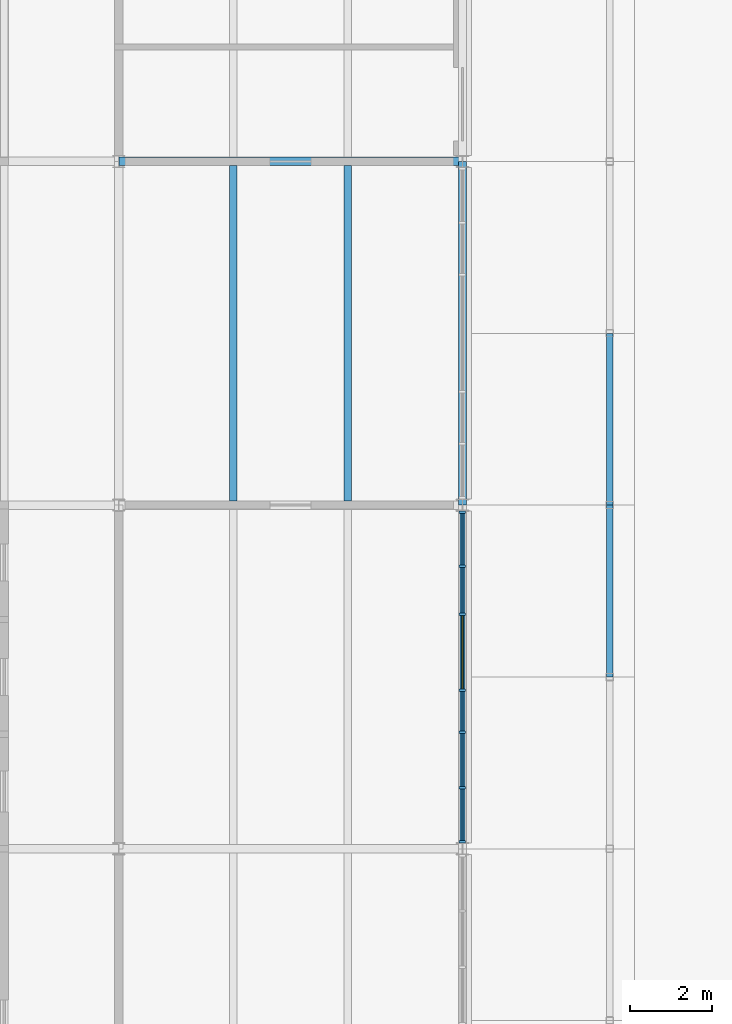
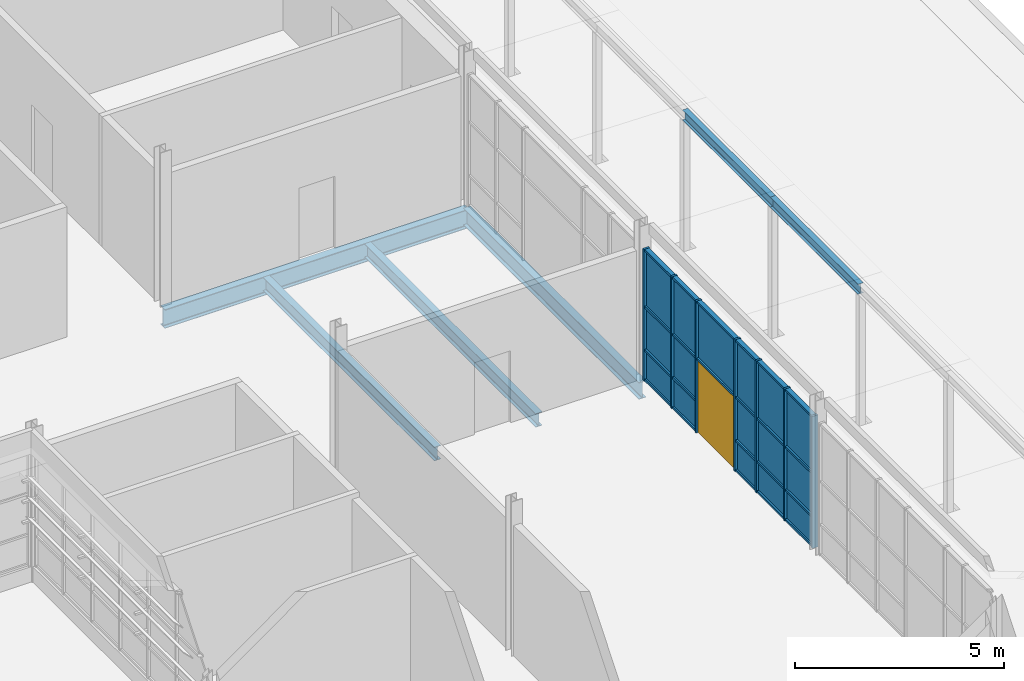
# One storey, part 64 of 116: 29 members, 16 plates, 6 beams, 1 door, 1 opening, 1 element without a shape of its own.
"""IFC4 building model written with IfcOpenShell, lengths in metres."""

from ifc_helpers import new_model, si_unit, direction, frame, frame_2d, origin, origin_2d, place, context, subcontext, project, spatial, rectangle, i_section, extrude, material, layer, layer_set, material_profile, profile_set, type_object, element, fill, aggregate, save


model = new_model("IFC4")

# Units and contexts
model_context = context("Model", 3, precision=1e-05, world=origin(), true_north=direction((0.0, 1.0)))
body_context = subcontext(model_context, "Body", "Model", "MODEL_VIEW")
ifc_project = project(units=[si_unit("LENGTHUNIT", "METRE"), si_unit("AREAUNIT", "SQUARE_METRE"), si_unit("VOLUMEUNIT", "CUBIC_METRE"), si_unit("PLANEANGLEUNIT", "RADIAN"), si_unit("MASSUNIT", "GRAM", prefix="KILO")], contexts=[model_context])

# Site, building, storey
site_placement = place(None, origin())
site = spatial("IfcSite", under=ifc_project, at=site_placement, CompositionType="ELEMENT")
building_placement = place(site_placement, origin())
building = spatial("IfcBuilding", under=site, at=building_placement, Name="Ardhachandra Cancer Care Centre", CompositionType="ELEMENT")
storey_placement = place(building_placement, origin())
storey = spatial("IfcBuildingStorey", under=building, at=storey_placement, Name="L00", CompositionType="ELEMENT", Elevation=0.0)

# Beams
ifc_material_1 = material(Name="Steel E350 (IS 2062)", Category="steel")
ifc_material_profile_1 = material_profile(ifc_material_1, i_section(OverallWidth=0.14990234375, OverallDepth=0.297119140625, WebThickness=0.006103515625, FlangeThickness=0.00927734375, FilletRadius=0.014892578125, at=origin_2d()), Name="NPB 300x150x36.52")
ifc_profile_set_1 = profile_set([ifc_material_profile_1], Name="Steel E350 (IS 2062)")
beam_type_1 = type_object("IfcBeamType", Name="Arcade beam NPB 300x150x36.52", PredefinedType="BEAM", material=ifc_profile_set_1)
beam_1_placement = place(storey_placement, frame((148.800048828125, 50.39990234375, 3.84521484375), z_axis=(0.0, 1.0, 0.0), x_axis=(-1.0, 0.0, 0.0)))
element("IfcBeam", 1, at=beam_1_placement, inside=storey, type_object=beam_type_1, Name="Arcade beam 6", PredefinedType="BEAM", context=body_context, shape_type="SweptSolid", body=[
    extrude(i_section(OverallWidth=0.14990234375, OverallDepth=0.297119140625, WebThickness=0.006103515625, FlangeThickness=0.00927734375, FilletRadius=0.014892578125, at=origin_2d()), origin(), (0.0, 0.0, 1.0), 4.2001953125),
])
beam_2_placement = place(storey_placement, frame((148.800048828125, 54.60009765625, 3.84521484375), z_axis=(0.0, 1.0, 0.0), x_axis=(-1.0, 0.0, 0.0)))
element("IfcBeam", 2, at=beam_2_placement, inside=storey, type_object=beam_type_1, Name="Arcade beam 7", PredefinedType="BEAM", context=body_context, shape_type="SweptSolid", body=[
    extrude(i_section(OverallWidth=0.14990234375, OverallDepth=0.297119140625, WebThickness=0.006103515625, FlangeThickness=0.00927734375, FilletRadius=0.014892578125, at=origin_2d()), origin(), (0.0, 0.0, 1.0), 4.199951171875),
])
ifc_material_2 = material(Name="Steel E350 (IS 2062)", Category="steel")
ifc_material_profile_2 = material_profile(ifc_material_2, i_section(OverallWidth=0.179931640625, OverallDepth=0.39990234375, WebThickness=0.008544921875, FlangeThickness=0.013427734375, FilletRadius=0.02099609375, at=origin_2d()), Name="NPB 400x180x66.30")
ifc_profile_set_2 = profile_set([ifc_material_profile_2], Name="Steel E350 (IS 2062)")
beam_type_2 = type_object("IfcBeamType", Name="Beam NPB 400x180x66.30", PredefinedType="BEAM", material=ifc_profile_set_2)
for number, where, z_axis, x_axis, name in (
    (3, (139.60009765625, 54.705078125, -0.35009765625), (0.0, 1.0, 0.0), (-1.0, 0.0, 0.0), "Secondary F16-G16@2800"),
    (4, (142.39990234375, 54.705078125, -0.35009765625), (0.0, 1.0, 0.0), (-1.0, 0.0, 0.0), "Secondary F16-G16@5600"),
):
    element("IfcBeam", number, at=place(storey_placement, frame(where, z_axis=z_axis, x_axis=x_axis)), inside=storey, type_object=beam_type_2, Name=name, PredefinedType="BEAM", context=body_context, shape_type="SweptSolid", body=[
        extrude(i_section(OverallWidth=0.179931640625, OverallDepth=0.39990234375, WebThickness=0.008544921875, FlangeThickness=0.013427734375, FilletRadius=0.02099609375, at=origin_2d()), origin(), (0.0, 0.0, 1.0), 8.18994140625),
    ])
ifc_material_3 = material(Name="Steel E350 (IS 2062)", Category="steel")
ifc_material_profile_3 = material_profile(ifc_material_3, i_section(OverallWidth=0.199951171875, OverallDepth=0.5, WebThickness=0.01025390625, FlangeThickness=0.01611328125, FilletRadius=0.02099609375, at=origin_2d()), Name="NPB 500x200x90.68")
ifc_profile_set_3 = profile_set([ifc_material_profile_3], Name="Steel E350 (IS 2062)")
beam_type_3 = type_object("IfcBeamType", Name="Beam NPB 500x200x90.68", PredefinedType="BEAM", material=ifc_profile_set_3)
beam_3_placement = place(storey_placement, frame((145.199951171875, 54.60009765625, -0.39990234375), z_axis=(0.0, 1.0, 0.0), x_axis=(-1.0, 0.0, 0.0)))
element("IfcBeam", 5, at=beam_3_placement, inside=storey, type_object=beam_type_3, Name="Edge girder F17-G17", PredefinedType="BEAM", context=body_context, shape_type="SweptSolid", body=[
    extrude(i_section(OverallWidth=0.199951171875, OverallDepth=0.5, WebThickness=0.01025390625, FlangeThickness=0.01611328125, FilletRadius=0.02099609375, at=origin_2d()), origin(), (0.0, 0.0, 1.0), 8.39990234375),
])
ifc_material_4 = material(Name="Steel E350 (IS 2062)", Category="steel")
ifc_material_profile_4 = material_profile(ifc_material_4, i_section(OverallWidth=0.2099609375, OverallDepth=0.550048828125, WebThickness=0.010986328125, FlangeThickness=0.01708984375, FilletRadius=0.02392578125, at=origin_2d()), Name="NPB 550x210x105.52")
ifc_profile_set_4 = profile_set([ifc_material_profile_4], Name="Steel E350 (IS 2062)")
beam_type_4 = type_object("IfcBeamType", Name="Beam NPB 550x210x105.52", PredefinedType="BEAM", material=ifc_profile_set_4)
beam_4_placement = place(storey_placement, frame((136.800048828125, 63.0, -0.425048828125), z_axis=(1.0, 0.0, 0.0), x_axis=(0.0, 1.0, 0.0)))
element("IfcBeam", 6, at=beam_4_placement, inside=storey, type_object=beam_type_4, Name="Girder G16-G17", PredefinedType="BEAM", context=body_context, shape_type="SweptSolid", body=[
    extrude(i_section(OverallWidth=0.2099609375, OverallDepth=0.550048828125, WebThickness=0.010986328125, FlangeThickness=0.01708984375, FilletRadius=0.02392578125, at=origin_2d()), origin(), (0.0, 0.0, 1.0), 8.39990234375),
])

# Curtain wall, opening, members, plates, door
ifc_material_5 = material(Name="Aluminium extrusion", Category="aluminium")
ifc_layer_1 = layer(ifc_material_5, 0.14990234375)
ifc_layer_set_1 = layer_set([ifc_layer_1], Name="Aluminium extrusion")
curtain_wall_type = type_object("IfcCurtainWallType", Name="Curtain wall run", PredefinedType="NOTDEFINED", material=ifc_layer_set_1)
curtain_wall_placement = place(storey_placement, frame((145.199951171875, 46.344970703125, 0.0), z_axis=(0.0, 0.0, 1.0), x_axis=(0.0, 1.0, 0.0)))
curtain_wall = element("IfcCurtainWall", 7, at=curtain_wall_placement, inside=storey, type_object=curtain_wall_type, Name="Curtain wall L00 e/0145200_0046200", PredefinedType="NOTDEFINED")
opening_placement = place(curtain_wall_placement, frame((3.7548828125, 0.0, 0.0)))
opening = element("IfcOpeningElement", 8, at=opening_placement, cuts=curtain_wall, Name="Opening L00-X02", PredefinedType="OPENING", context=body_context, shape_type="SweptSolid", body=[
    extrude(rectangle(XDim=1.800048828125, YDim=2.10009765625, at=frame_2d((0.89990234375, 1.050048828125))), frame((0.0, 0.0849609375, 0.0), z_axis=(0.0, -1.0, 0.0), x_axis=(1.0, 0.0, 0.0)), (0.0, 0.0, 1.0), 0.169921875),
])
ifc_material_6 = material(Name="Aluminium extrusion", Category="aluminium")
ifc_material_profile_5 = material_profile(ifc_material_6, rectangle(XDim=0.159912109375, YDim=0.06005859375, at=origin_2d()), Name="Curtain wall mullion 60 x 160")
ifc_profile_set_5 = profile_set([ifc_material_profile_5], Name="Aluminium extrusion")
member_type_1 = type_object("IfcMemberType", Name="Curtain wall mullion 60 x 160", PredefinedType="MULLION", material=ifc_profile_set_5)
member_1_placement = place(storey_placement, frame((145.199951171875, 46.375, 0.0), z_axis=(0.0, 0.0, 1.0), x_axis=(-1.0, 0.0, 0.0)))
member_1 = element("IfcMember", 9, at=member_1_placement, type_object=member_type_1, Name="CW mullion 1", PredefinedType="MULLION", context=body_context, shape_type="SweptSolid", body=[
    extrude(rectangle(XDim=0.159912109375, YDim=0.06005859375, at=origin_2d()), origin(), (0.0, 0.0, 1.0), 3.85009765625),
])
member_2_placement = place(storey_placement, frame((145.199951171875, 47.69677734375, 0.0), z_axis=(0.0, 0.0, 1.0), x_axis=(-1.0, 0.0, 0.0)))
member_2 = element("IfcMember", 10, at=member_2_placement, type_object=member_type_1, Name="CW mullion 2", PredefinedType="MULLION", context=body_context, shape_type="SweptSolid", body=[
    extrude(rectangle(XDim=0.159912109375, YDim=0.06005859375, at=origin_2d()), origin(), (0.0, 0.0, 1.0), 3.85009765625),
])
member_3_placement = place(storey_placement, frame((145.199951171875, 49.04833984375, 0.0), z_axis=(0.0, 0.0, 1.0), x_axis=(-1.0, 0.0, 0.0)))
member_3 = element("IfcMember", 11, at=member_3_placement, type_object=member_type_1, Name="CW mullion 3", PredefinedType="MULLION", context=body_context, shape_type="SweptSolid", body=[
    extrude(rectangle(XDim=0.159912109375, YDim=0.06005859375, at=origin_2d()), origin(), (0.0, 0.0, 1.0), 3.85009765625),
])
member_4_placement = place(storey_placement, frame((145.199951171875, 50.070068359375, 0.0), z_axis=(0.0, 0.0, 1.0), x_axis=(-1.0, 0.0, 0.0)))
member_4 = element("IfcMember", 12, at=member_4_placement, type_object=member_type_1, Name="CW mullion 4", PredefinedType="MULLION", context=body_context, shape_type="SweptSolid", body=[
    extrude(rectangle(XDim=0.159912109375, YDim=0.06005859375, at=origin_2d()), origin(), (0.0, 0.0, 1.0), 3.85009765625),
])
member_5_placement = place(storey_placement, frame((145.199951171875, 51.929931640625, 0.0), z_axis=(0.0, 0.0, 1.0), x_axis=(-1.0, 0.0, 0.0)))
member_5 = element("IfcMember", 13, at=member_5_placement, type_object=member_type_1, Name="CW mullion 5", PredefinedType="MULLION", context=body_context, shape_type="SweptSolid", body=[
    extrude(rectangle(XDim=0.159912109375, YDim=0.06005859375, at=origin_2d()), origin(), (0.0, 0.0, 1.0), 3.85009765625),
])
member_6_placement = place(storey_placement, frame((145.199951171875, 53.103271484375, 0.0), z_axis=(0.0, 0.0, 1.0), x_axis=(-1.0, 0.0, 0.0)))
member_6 = element("IfcMember", 14, at=member_6_placement, type_object=member_type_1, Name="CW mullion 6", PredefinedType="MULLION", context=body_context, shape_type="SweptSolid", body=[
    extrude(rectangle(XDim=0.159912109375, YDim=0.06005859375, at=origin_2d()), origin(), (0.0, 0.0, 1.0), 3.85009765625),
])
member_7_placement = place(storey_placement, frame((145.199951171875, 54.425048828125, 0.0), z_axis=(0.0, 0.0, 1.0), x_axis=(-1.0, 0.0, 0.0)))
member_7 = element("IfcMember", 15, at=member_7_placement, type_object=member_type_1, Name="CW mullion 7", PredefinedType="MULLION", context=body_context, shape_type="SweptSolid", body=[
    extrude(rectangle(XDim=0.159912109375, YDim=0.06005859375, at=origin_2d()), origin(), (0.0, 0.0, 1.0), 3.85009765625),
])
ifc_material_7 = material(Name="Aluminium extrusion", Category="aluminium")
ifc_material_profile_6 = material_profile(ifc_material_7, rectangle(XDim=0.1201171875, YDim=0.06005859375, at=origin_2d()), Name="Curtain wall transom 60 x 120")
ifc_profile_set_6 = profile_set([ifc_material_profile_6], Name="Aluminium extrusion")
member_type_2 = type_object("IfcMemberType", Name="Curtain wall transom 60 x 120", PredefinedType="USERDEFINED", material=ifc_profile_set_6)
member_8_placement = place(storey_placement, frame((145.199951171875, 46.405029296875, 0.030029296875), z_axis=(0.0, 1.0, 0.0), x_axis=(-1.0, 0.0, 0.0)))
member_8 = element("IfcMember", 16, at=member_8_placement, type_object=member_type_2, Name="CW transom 1.1", ObjectType="TRANSOM", PredefinedType="USERDEFINED", context=body_context, shape_type="SweptSolid", body=[
    extrude(rectangle(XDim=0.1201171875, YDim=0.06005859375, at=origin_2d()), origin(), (0.0, 0.0, 1.0), 1.26171875),
])
member_9_placement = place(storey_placement, frame((145.199951171875, 46.405029296875, 0.89990234375), z_axis=(0.0, 1.0, 0.0), x_axis=(-1.0, 0.0, 0.0)))
member_9 = element("IfcMember", 17, at=member_9_placement, type_object=member_type_2, Name="CW transom 1.2", ObjectType="TRANSOM", PredefinedType="USERDEFINED", context=body_context, shape_type="SweptSolid", body=[
    extrude(rectangle(XDim=0.1201171875, YDim=0.06005859375, at=origin_2d()), origin(), (0.0, 0.0, 1.0), 1.26171875),
])
member_10_placement = place(storey_placement, frame((145.199951171875, 46.405029296875, 2.159912109375), z_axis=(0.0, 1.0, 0.0), x_axis=(-1.0, 0.0, 0.0)))
member_10 = element("IfcMember", 18, at=member_10_placement, type_object=member_type_2, Name="CW transom 1.3", ObjectType="TRANSOM", PredefinedType="USERDEFINED", context=body_context, shape_type="SweptSolid", body=[
    extrude(rectangle(XDim=0.1201171875, YDim=0.06005859375, at=origin_2d()), origin(), (0.0, 0.0, 1.0), 1.26171875),
])
member_11_placement = place(storey_placement, frame((145.199951171875, 46.405029296875, 3.820068359375), z_axis=(0.0, 1.0, 0.0), x_axis=(-1.0, 0.0, 0.0)))
member_11 = element("IfcMember", 19, at=member_11_placement, type_object=member_type_2, Name="CW transom 1.4", ObjectType="TRANSOM", PredefinedType="USERDEFINED", context=body_context, shape_type="SweptSolid", body=[
    extrude(rectangle(XDim=0.1201171875, YDim=0.06005859375, at=origin_2d()), origin(), (0.0, 0.0, 1.0), 1.26171875),
])
member_12_placement = place(storey_placement, frame((145.199951171875, 47.726806640625, 0.030029296875), z_axis=(0.0, 1.0, 0.0), x_axis=(-1.0, 0.0, 0.0)))
member_12 = element("IfcMember", 20, at=member_12_placement, type_object=member_type_2, Name="CW transom 2.1", ObjectType="TRANSOM", PredefinedType="USERDEFINED", context=body_context, shape_type="SweptSolid", body=[
    extrude(rectangle(XDim=0.1201171875, YDim=0.06005859375, at=origin_2d()), origin(), (0.0, 0.0, 1.0), 1.29150390625),
])
member_13_placement = place(storey_placement, frame((145.199951171875, 47.726806640625, 0.89990234375), z_axis=(0.0, 1.0, 0.0), x_axis=(-1.0, 0.0, 0.0)))
member_13 = element("IfcMember", 21, at=member_13_placement, type_object=member_type_2, Name="CW transom 2.2", ObjectType="TRANSOM", PredefinedType="USERDEFINED", context=body_context, shape_type="SweptSolid", body=[
    extrude(rectangle(XDim=0.1201171875, YDim=0.06005859375, at=origin_2d()), origin(), (0.0, 0.0, 1.0), 1.29150390625),
])
member_14_placement = place(storey_placement, frame((145.199951171875, 47.726806640625, 2.159912109375), z_axis=(0.0, 1.0, 0.0), x_axis=(-1.0, 0.0, 0.0)))
member_14 = element("IfcMember", 22, at=member_14_placement, type_object=member_type_2, Name="CW transom 2.3", ObjectType="TRANSOM", PredefinedType="USERDEFINED", context=body_context, shape_type="SweptSolid", body=[
    extrude(rectangle(XDim=0.1201171875, YDim=0.06005859375, at=origin_2d()), origin(), (0.0, 0.0, 1.0), 1.29150390625),
])
member_15_placement = place(storey_placement, frame((145.199951171875, 47.726806640625, 3.820068359375), z_axis=(0.0, 1.0, 0.0), x_axis=(-1.0, 0.0, 0.0)))
member_15 = element("IfcMember", 23, at=member_15_placement, type_object=member_type_2, Name="CW transom 2.4", ObjectType="TRANSOM", PredefinedType="USERDEFINED", context=body_context, shape_type="SweptSolid", body=[
    extrude(rectangle(XDim=0.1201171875, YDim=0.06005859375, at=origin_2d()), origin(), (0.0, 0.0, 1.0), 1.29150390625),
])
member_16_placement = place(storey_placement, frame((145.199951171875, 49.078369140625, 0.030029296875), z_axis=(0.0, 1.0, 0.0), x_axis=(-1.0, 0.0, 0.0)))
member_16 = element("IfcMember", 24, at=member_16_placement, type_object=member_type_2, Name="CW transom 3.1", ObjectType="TRANSOM", PredefinedType="USERDEFINED", context=body_context, shape_type="SweptSolid", body=[
    extrude(rectangle(XDim=0.1201171875, YDim=0.06005859375, at=origin_2d()), origin(), (0.0, 0.0, 1.0), 0.961669921875),
])
member_17_placement = place(storey_placement, frame((145.199951171875, 49.078369140625, 0.89990234375), z_axis=(0.0, 1.0, 0.0), x_axis=(-1.0, 0.0, 0.0)))
member_17 = element("IfcMember", 25, at=member_17_placement, type_object=member_type_2, Name="CW transom 3.2", ObjectType="TRANSOM", PredefinedType="USERDEFINED", context=body_context, shape_type="SweptSolid", body=[
    extrude(rectangle(XDim=0.1201171875, YDim=0.06005859375, at=origin_2d()), origin(), (0.0, 0.0, 1.0), 0.961669921875),
])
member_18_placement = place(storey_placement, frame((145.199951171875, 49.078369140625, 2.159912109375), z_axis=(0.0, 1.0, 0.0), x_axis=(-1.0, 0.0, 0.0)))
member_18 = element("IfcMember", 26, at=member_18_placement, type_object=member_type_2, Name="CW transom 3.3", ObjectType="TRANSOM", PredefinedType="USERDEFINED", context=body_context, shape_type="SweptSolid", body=[
    extrude(rectangle(XDim=0.1201171875, YDim=0.06005859375, at=origin_2d()), origin(), (0.0, 0.0, 1.0), 0.961669921875),
])
member_19_placement = place(storey_placement, frame((145.199951171875, 49.078369140625, 3.820068359375), z_axis=(0.0, 1.0, 0.0), x_axis=(-1.0, 0.0, 0.0)))
member_19 = element("IfcMember", 27, at=member_19_placement, type_object=member_type_2, Name="CW transom 3.4", ObjectType="TRANSOM", PredefinedType="USERDEFINED", context=body_context, shape_type="SweptSolid", body=[
    extrude(rectangle(XDim=0.1201171875, YDim=0.06005859375, at=origin_2d()), origin(), (0.0, 0.0, 1.0), 0.961669921875),
])
member_20_placement = place(storey_placement, frame((145.199951171875, 50.10009765625, 2.159912109375), z_axis=(0.0, 1.0, 0.0), x_axis=(-1.0, 0.0, 0.0)))
member_20 = element("IfcMember", 28, at=member_20_placement, type_object=member_type_2, Name="CW transom 4.1", ObjectType="TRANSOM", PredefinedType="USERDEFINED", context=body_context, shape_type="SweptSolid", body=[
    extrude(rectangle(XDim=0.1201171875, YDim=0.06005859375, at=origin_2d()), origin(), (0.0, 0.0, 1.0), 1.7998046875),
])
member_21_placement = place(storey_placement, frame((145.199951171875, 50.10009765625, 3.820068359375), z_axis=(0.0, 1.0, 0.0), x_axis=(-1.0, 0.0, 0.0)))
member_21 = element("IfcMember", 29, at=member_21_placement, type_object=member_type_2, Name="CW transom 4.2", ObjectType="TRANSOM", PredefinedType="USERDEFINED", context=body_context, shape_type="SweptSolid", body=[
    extrude(rectangle(XDim=0.1201171875, YDim=0.06005859375, at=origin_2d()), origin(), (0.0, 0.0, 1.0), 1.7998046875),
])
member_22_placement = place(storey_placement, frame((145.199951171875, 51.9599609375, 0.030029296875), z_axis=(0.0, 1.0, 0.0), x_axis=(-1.0, 0.0, 0.0)))
member_22 = element("IfcMember", 30, at=member_22_placement, type_object=member_type_2, Name="CW transom 5.1", ObjectType="TRANSOM", PredefinedType="USERDEFINED", context=body_context, shape_type="SweptSolid", body=[
    extrude(rectangle(XDim=0.1201171875, YDim=0.06005859375, at=origin_2d()), origin(), (0.0, 0.0, 1.0), 1.11328125),
])
member_23_placement = place(storey_placement, frame((145.199951171875, 51.9599609375, 0.89990234375), z_axis=(0.0, 1.0, 0.0), x_axis=(-1.0, 0.0, 0.0)))
member_23 = element("IfcMember", 31, at=member_23_placement, type_object=member_type_2, Name="CW transom 5.2", ObjectType="TRANSOM", PredefinedType="USERDEFINED", context=body_context, shape_type="SweptSolid", body=[
    extrude(rectangle(XDim=0.1201171875, YDim=0.06005859375, at=origin_2d()), origin(), (0.0, 0.0, 1.0), 1.11328125),
])
member_24_placement = place(storey_placement, frame((145.199951171875, 51.9599609375, 2.159912109375), z_axis=(0.0, 1.0, 0.0), x_axis=(-1.0, 0.0, 0.0)))
member_24 = element("IfcMember", 32, at=member_24_placement, type_object=member_type_2, Name="CW transom 5.3", ObjectType="TRANSOM", PredefinedType="USERDEFINED", context=body_context, shape_type="SweptSolid", body=[
    extrude(rectangle(XDim=0.1201171875, YDim=0.06005859375, at=origin_2d()), origin(), (0.0, 0.0, 1.0), 1.11328125),
])
member_25_placement = place(storey_placement, frame((145.199951171875, 51.9599609375, 3.820068359375), z_axis=(0.0, 1.0, 0.0), x_axis=(-1.0, 0.0, 0.0)))
member_25 = element("IfcMember", 33, at=member_25_placement, type_object=member_type_2, Name="CW transom 5.4", ObjectType="TRANSOM", PredefinedType="USERDEFINED", context=body_context, shape_type="SweptSolid", body=[
    extrude(rectangle(XDim=0.1201171875, YDim=0.06005859375, at=origin_2d()), origin(), (0.0, 0.0, 1.0), 1.11328125),
])
member_26_placement = place(storey_placement, frame((145.199951171875, 53.13330078125, 0.030029296875), z_axis=(0.0, 1.0, 0.0), x_axis=(-1.0, 0.0, 0.0)))
member_26 = element("IfcMember", 34, at=member_26_placement, type_object=member_type_2, Name="CW transom 6.1", ObjectType="TRANSOM", PredefinedType="USERDEFINED", context=body_context, shape_type="SweptSolid", body=[
    extrude(rectangle(XDim=0.1201171875, YDim=0.06005859375, at=origin_2d()), origin(), (0.0, 0.0, 1.0), 1.26171875),
])
member_27_placement = place(storey_placement, frame((145.199951171875, 53.13330078125, 0.89990234375), z_axis=(0.0, 1.0, 0.0), x_axis=(-1.0, 0.0, 0.0)))
member_27 = element("IfcMember", 35, at=member_27_placement, type_object=member_type_2, Name="CW transom 6.2", ObjectType="TRANSOM", PredefinedType="USERDEFINED", context=body_context, shape_type="SweptSolid", body=[
    extrude(rectangle(XDim=0.1201171875, YDim=0.06005859375, at=origin_2d()), origin(), (0.0, 0.0, 1.0), 1.26171875),
])
member_28_placement = place(storey_placement, frame((145.199951171875, 53.13330078125, 2.159912109375), z_axis=(0.0, 1.0, 0.0), x_axis=(-1.0, 0.0, 0.0)))
member_28 = element("IfcMember", 36, at=member_28_placement, type_object=member_type_2, Name="CW transom 6.3", ObjectType="TRANSOM", PredefinedType="USERDEFINED", context=body_context, shape_type="SweptSolid", body=[
    extrude(rectangle(XDim=0.1201171875, YDim=0.06005859375, at=origin_2d()), origin(), (0.0, 0.0, 1.0), 1.26171875),
])
member_29_placement = place(storey_placement, frame((145.199951171875, 53.13330078125, 3.820068359375), z_axis=(0.0, 1.0, 0.0), x_axis=(-1.0, 0.0, 0.0)))
member_29 = element("IfcMember", 37, at=member_29_placement, type_object=member_type_2, Name="CW transom 6.4", ObjectType="TRANSOM", PredefinedType="USERDEFINED", context=body_context, shape_type="SweptSolid", body=[
    extrude(rectangle(XDim=0.1201171875, YDim=0.06005859375, at=origin_2d()), origin(), (0.0, 0.0, 1.0), 1.26171875),
])
ifc_material_8 = material(Name="Low-iron double-glazed unit")
ifc_layer_2 = layer(ifc_material_8, 0.028076171875)
ifc_layer_set_2 = layer_set([ifc_layer_2], Name="Low-iron double-glazed unit")
plate_type_1 = type_object("IfcPlateType", Name="Curtain wall glazing 28", PredefinedType="CURTAIN_PANEL", material=ifc_layer_set_2)
plate_1_placement = place(storey_placement, frame((145.199951171875, 47.035888671875, 0.93017578125), z_axis=(0.0, 0.0, 1.0), x_axis=(0.0, 1.0, 0.0)))
plate_1 = element("IfcPlate", 38, at=plate_1_placement, type_object=plate_type_1, Name="CW panel 1.2", PredefinedType="CURTAIN_PANEL", context=body_context, shape_type="SweptSolid", body=[
    extrude(rectangle(XDim=1.26171875, YDim=0.028076171875, at=origin_2d()), origin(), (0.0, 0.0, 1.0), 1.199951171875),
])
plate_2_placement = place(storey_placement, frame((145.199951171875, 47.035888671875, 2.18994140625), z_axis=(0.0, 0.0, 1.0), x_axis=(0.0, 1.0, 0.0)))
plate_2 = element("IfcPlate", 39, at=plate_2_placement, type_object=plate_type_1, Name="CW panel 1.3", PredefinedType="CURTAIN_PANEL", context=body_context, shape_type="SweptSolid", body=[
    extrude(rectangle(XDim=1.26171875, YDim=0.028076171875, at=origin_2d()), origin(), (0.0, 0.0, 1.0), 1.60009765625),
])
plate_3_placement = place(storey_placement, frame((145.199951171875, 48.37255859375, 0.93017578125), z_axis=(0.0, 0.0, 1.0), x_axis=(0.0, 1.0, 0.0)))
plate_3 = element("IfcPlate", 40, at=plate_3_placement, type_object=plate_type_1, Name="CW panel 2.2", PredefinedType="CURTAIN_PANEL", context=body_context, shape_type="SweptSolid", body=[
    extrude(rectangle(XDim=1.29150390625, YDim=0.028076171875, at=origin_2d()), origin(), (0.0, 0.0, 1.0), 1.199951171875),
])
plate_4_placement = place(storey_placement, frame((145.199951171875, 48.37255859375, 2.18994140625), z_axis=(0.0, 0.0, 1.0), x_axis=(0.0, 1.0, 0.0)))
plate_4 = element("IfcPlate", 41, at=plate_4_placement, type_object=plate_type_1, Name="CW panel 2.3", PredefinedType="CURTAIN_PANEL", context=body_context, shape_type="SweptSolid", body=[
    extrude(rectangle(XDim=1.29150390625, YDim=0.028076171875, at=origin_2d()), origin(), (0.0, 0.0, 1.0), 1.60009765625),
])
plate_5_placement = place(storey_placement, frame((145.199951171875, 49.55908203125, 0.93017578125), z_axis=(0.0, 0.0, 1.0), x_axis=(0.0, 1.0, 0.0)))
plate_5 = element("IfcPlate", 42, at=plate_5_placement, type_object=plate_type_1, Name="CW panel 3.2", PredefinedType="CURTAIN_PANEL", context=body_context, shape_type="SweptSolid", body=[
    extrude(rectangle(XDim=0.961669921875, YDim=0.028076171875, at=origin_2d()), origin(), (0.0, 0.0, 1.0), 1.199951171875),
])
plate_6_placement = place(storey_placement, frame((145.199951171875, 49.55908203125, 2.18994140625), z_axis=(0.0, 0.0, 1.0), x_axis=(0.0, 1.0, 0.0)))
plate_6 = element("IfcPlate", 43, at=plate_6_placement, type_object=plate_type_1, Name="CW panel 3.3", PredefinedType="CURTAIN_PANEL", context=body_context, shape_type="SweptSolid", body=[
    extrude(rectangle(XDim=0.961669921875, YDim=0.028076171875, at=origin_2d()), origin(), (0.0, 0.0, 1.0), 1.60009765625),
])
plate_7_placement = place(storey_placement, frame((145.199951171875, 51.0, 2.18994140625), z_axis=(0.0, 0.0, 1.0), x_axis=(0.0, 1.0, 0.0)))
plate_7 = element("IfcPlate", 44, at=plate_7_placement, type_object=plate_type_1, Name="CW panel 4.1", PredefinedType="CURTAIN_PANEL", context=body_context, shape_type="SweptSolid", body=[
    extrude(rectangle(XDim=1.800048828125, YDim=0.028076171875, at=origin_2d()), origin(), (0.0, 0.0, 1.0), 1.60009765625),
])
plate_8_placement = place(storey_placement, frame((145.199951171875, 52.5166015625, 0.93017578125), z_axis=(0.0, 0.0, 1.0), x_axis=(0.0, 1.0, 0.0)))
plate_8 = element("IfcPlate", 45, at=plate_8_placement, type_object=plate_type_1, Name="CW panel 5.2", PredefinedType="CURTAIN_PANEL", context=body_context, shape_type="SweptSolid", body=[
    extrude(rectangle(XDim=1.11328125, YDim=0.028076171875, at=origin_2d()), origin(), (0.0, 0.0, 1.0), 1.199951171875),
])
plate_9_placement = place(storey_placement, frame((145.199951171875, 52.5166015625, 2.18994140625), z_axis=(0.0, 0.0, 1.0), x_axis=(0.0, 1.0, 0.0)))
plate_9 = element("IfcPlate", 46, at=plate_9_placement, type_object=plate_type_1, Name="CW panel 5.3", PredefinedType="CURTAIN_PANEL", context=body_context, shape_type="SweptSolid", body=[
    extrude(rectangle(XDim=1.11328125, YDim=0.028076171875, at=origin_2d()), origin(), (0.0, 0.0, 1.0), 1.60009765625),
])
plate_10_placement = place(storey_placement, frame((145.199951171875, 53.76416015625, 0.93017578125), z_axis=(0.0, 0.0, 1.0), x_axis=(0.0, 1.0, 0.0)))
plate_10 = element("IfcPlate", 47, at=plate_10_placement, type_object=plate_type_1, Name="CW panel 6.2", PredefinedType="CURTAIN_PANEL", context=body_context, shape_type="SweptSolid", body=[
    extrude(rectangle(XDim=1.26171875, YDim=0.028076171875, at=origin_2d()), origin(), (0.0, 0.0, 1.0), 1.199951171875),
])
plate_11_placement = place(storey_placement, frame((145.199951171875, 53.76416015625, 2.18994140625), z_axis=(0.0, 0.0, 1.0), x_axis=(0.0, 1.0, 0.0)))
plate_11 = element("IfcPlate", 48, at=plate_11_placement, type_object=plate_type_1, Name="CW panel 6.3", PredefinedType="CURTAIN_PANEL", context=body_context, shape_type="SweptSolid", body=[
    extrude(rectangle(XDim=1.26171875, YDim=0.028076171875, at=origin_2d()), origin(), (0.0, 0.0, 1.0), 1.60009765625),
])
ifc_material_9 = material(Name="Aluminium composite spandrel panel", Category="aluminium")
ifc_layer_3 = layer(ifc_material_9, 0.028076171875)
ifc_layer_set_3 = layer_set([ifc_layer_3], Name="Aluminium composite spandrel panel")
plate_type_2 = type_object("IfcPlateType", Name="Curtain wall spandrel panel 28", PredefinedType="CURTAIN_PANEL", material=ifc_layer_set_3)
plate_12_placement = place(storey_placement, frame((145.199951171875, 47.035888671875, 0.06005859375), z_axis=(0.0, 0.0, 1.0), x_axis=(0.0, 1.0, 0.0)))
plate_12 = element("IfcPlate", 49, at=plate_12_placement, type_object=plate_type_2, Name="CW panel 1.1", PredefinedType="CURTAIN_PANEL", context=body_context, shape_type="SweptSolid", body=[
    extrude(rectangle(XDim=1.26171875, YDim=0.028076171875, at=origin_2d()), origin(), (0.0, 0.0, 1.0), 0.81005859375),
])
plate_13_placement = place(storey_placement, frame((145.199951171875, 48.37255859375, 0.06005859375), z_axis=(0.0, 0.0, 1.0), x_axis=(0.0, 1.0, 0.0)))
plate_13 = element("IfcPlate", 50, at=plate_13_placement, type_object=plate_type_2, Name="CW panel 2.1", PredefinedType="CURTAIN_PANEL", context=body_context, shape_type="SweptSolid", body=[
    extrude(rectangle(XDim=1.29150390625, YDim=0.028076171875, at=origin_2d()), origin(), (0.0, 0.0, 1.0), 0.81005859375),
])
plate_14_placement = place(storey_placement, frame((145.199951171875, 49.55908203125, 0.06005859375), z_axis=(0.0, 0.0, 1.0), x_axis=(0.0, 1.0, 0.0)))
plate_14 = element("IfcPlate", 51, at=plate_14_placement, type_object=plate_type_2, Name="CW panel 3.1", PredefinedType="CURTAIN_PANEL", context=body_context, shape_type="SweptSolid", body=[
    extrude(rectangle(XDim=0.961669921875, YDim=0.028076171875, at=origin_2d()), origin(), (0.0, 0.0, 1.0), 0.81005859375),
])
plate_15_placement = place(storey_placement, frame((145.199951171875, 52.5166015625, 0.06005859375), z_axis=(0.0, 0.0, 1.0), x_axis=(0.0, 1.0, 0.0)))
plate_15 = element("IfcPlate", 52, at=plate_15_placement, type_object=plate_type_2, Name="CW panel 5.1", PredefinedType="CURTAIN_PANEL", context=body_context, shape_type="SweptSolid", body=[
    extrude(rectangle(XDim=1.11328125, YDim=0.028076171875, at=origin_2d()), origin(), (0.0, 0.0, 1.0), 0.81005859375),
])
plate_16_placement = place(storey_placement, frame((145.199951171875, 53.76416015625, 0.06005859375), z_axis=(0.0, 0.0, 1.0), x_axis=(0.0, 1.0, 0.0)))
plate_16 = element("IfcPlate", 53, at=plate_16_placement, type_object=plate_type_2, Name="CW panel 6.1", PredefinedType="CURTAIN_PANEL", context=body_context, shape_type="SweptSolid", body=[
    extrude(rectangle(XDim=1.26171875, YDim=0.028076171875, at=origin_2d()), origin(), (0.0, 0.0, 1.0), 0.81005859375),
])
aggregate(curtain_wall, [member_1, member_2, member_3, member_4, member_5, member_6, member_7, member_8, member_9, member_10, member_11, plate_12, plate_1, plate_2, member_12, member_13, member_14, member_15, plate_13, plate_3, plate_4, member_16, member_17, member_18, member_19, plate_14, plate_5, plate_6, member_20, member_21, plate_7, member_22, member_23, member_24, member_25, plate_15, plate_8, plate_9, member_26, member_27, member_28, member_29, plate_16, plate_10, plate_11])
ifc_material_10 = material(Name="Hollow steel door set with fire-rated infill", Category="steel")
door_type = type_object("IfcDoorType", Name="Exit door pair 1800 x 2100", OperationType="DOUBLE_DOOR_SINGLE_SWING", PredefinedType="DOOR", material=ifc_material_10)
door_placement = place(opening_placement, origin())
door = element("IfcDoor", 54, at=door_placement, inside=storey, type_object=door_type, Name="Cafe South East Exit Door L00-X02", OperationType="SINGLE_SWING_LEFT", OverallHeight=2.10009765625, OverallWidth=1.800048828125, PredefinedType="DOOR", context=body_context, shape_type="SweptSolid", body=[
    extrude(rectangle(XDim=1.800048828125, YDim=2.10009765625, at=frame_2d((0.89990234375, 1.050048828125))), frame((0.0, 0.02490234375, 0.0), z_axis=(0.0, -1.0, 0.0), x_axis=(1.0, 0.0, 0.0)), (0.0, 0.0, 1.0), 0.050048828125),
])
fill(opening, door)

save(model, "model.ifc")
